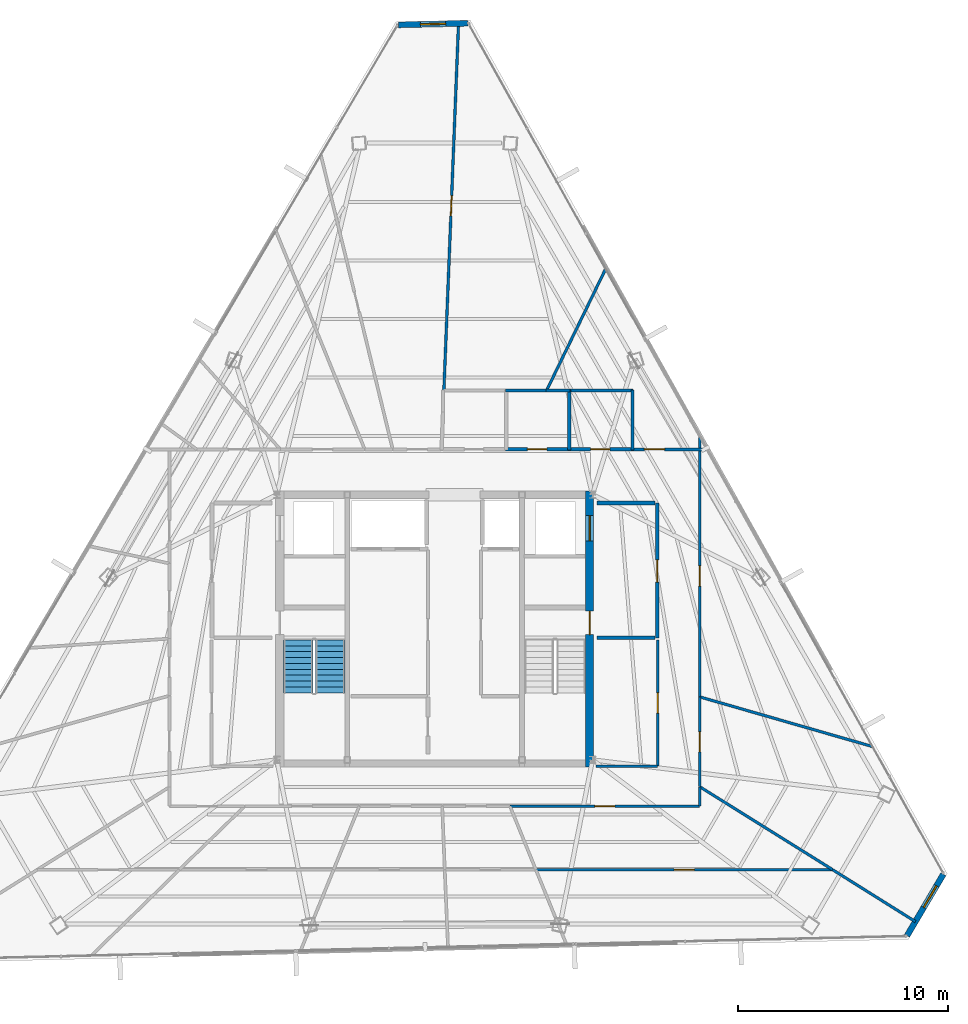
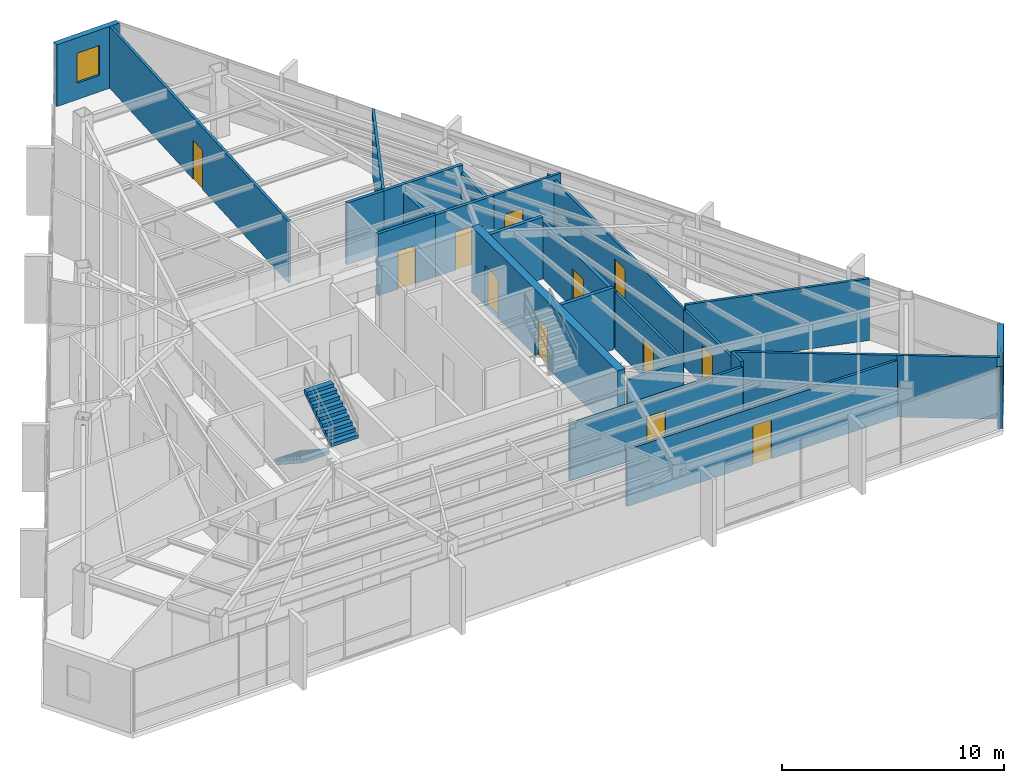
# One storey, part 42 of 45: 26 walls, 12 doors, 2 stair flights, 2 windows, 14 openings, 1 element without a shape of its own.
"""IFC4 building model written with IfcOpenShell, lengths in metres."""

from ifc_helpers import new_model, si_unit, direction, frame, frame_2d, origin, place, context, subcontext, project, spatial, polyline, rectangle, outline, extrude, material, layer, layer_set, type_object, element, fill, aggregate, save


model = new_model("IFC4")

# Units and contexts
model_context = context("Model", 3, precision=1e-05, world=origin(), true_north=direction((0.0, 1.0)))
body_context = subcontext(model_context, "Body", "Model", "MODEL_VIEW")
ifc_project = project(units=[si_unit("LENGTHUNIT", "METRE"), si_unit("AREAUNIT", "SQUARE_METRE"), si_unit("VOLUMEUNIT", "CUBIC_METRE"), si_unit("PLANEANGLEUNIT", "RADIAN"), si_unit("MASSUNIT", "GRAM", prefix="KILO")], contexts=[model_context])

# Site, building, storey
site_placement = place(None, origin())
site = spatial("IfcSite", under=ifc_project, at=site_placement, CompositionType="ELEMENT")
building_placement = place(site_placement, origin())
building = spatial("IfcBuilding", under=site, at=building_placement, Name="Caelisora Broadcast Tower", CompositionType="ELEMENT")
storey_placement = place(building_placement, frame((0.0, 0.0, 266.35009765625)))
storey = spatial("IfcBuildingStorey", under=building, at=storey_placement, Name="L70", CompositionType="ELEMENT", Elevation=266.35009765625)

# Wall, openings, doors
ifc_material_1 = material(Name="Concrete 40 MPa (AS 3600 N40)", Category="concrete")
ifc_layer_1 = layer(ifc_material_1, 0.39990234375, Name="Concrete 40 MPa (AS 3600 N40)")
ifc_layer_set_1 = layer_set([ifc_layer_1], Name="Concrete 40 MPa (AS 3600 N40)")
wall_type_1 = type_object("IfcWallType", Name="CW3", PredefinedType="SHEAR", material=ifc_layer_set_1)
wall_1_placement = place(storey_placement, frame((45.360107421875, 17.050048828125, 0.0), z_axis=(0.0, 0.0, 1.0), x_axis=(0.0, 1.0, 0.0)))
wall_1 = element("IfcWall", 1, at=wall_1_placement, inside=storey, type_object=wall_type_1, Name="L70 core shear wall CW3", PredefinedType="SHEAR", context=body_context, shape_type="SweptSolid", body=[
    extrude(rectangle(XDim=13.125, YDim=0.39990234375, at=frame_2d((6.5625, 0.0))), origin(), (0.0, 0.0, 1.0), 3.64990234375),
])
opening_1_placement = place(wall_1_placement, frame((6.300048828125, 0.0, 0.0)))
opening_1 = element("IfcOpeningElement", 2, at=opening_1_placement, cuts=wall_1, Name="Opening FD04", PredefinedType="OPENING", context=body_context, shape_type="SweptSolid", body=[
    extrude(rectangle(XDim=1.1201171875, YDim=2.14990234375, at=frame_2d((0.56005859375, 1.074951171875))), frame((0.0, 0.2119140625, 0.0), z_axis=(0.0, -1.0, 0.0), x_axis=(1.0, 0.0, 0.0)), (0.0, 0.0, 1.0), 0.423828125),
])
opening_2_placement = place(wall_1_placement, frame((10.75, 0.0, 0.0)))
opening_2 = element("IfcOpeningElement", 3, at=opening_2_placement, cuts=wall_1, Name="Opening LD04", PredefinedType="OPENING", context=body_context, shape_type="SweptSolid", body=[
    extrude(rectangle(XDim=1.199951171875, YDim=2.199951171875, at=frame_2d((0.60009765625, 1.10009765625))), frame((0.0, 0.2119140625, 0.0), z_axis=(0.0, -1.0, 0.0), x_axis=(1.0, 0.0, 0.0)), (0.0, 0.0, 1.0), 0.423828125),
])
ifc_material_2 = material(Name="Pressurised Fire-Isolated Stair Door", Category="steel")
door_type_1 = type_object("IfcDoorType", Name="FD04", OperationType="NOTDEFINED", PredefinedType="DOOR", material=ifc_material_2)
door_1_placement = place(opening_1_placement, origin())
door_1 = element("IfcDoor", 4, at=door_1_placement, inside=storey, type_object=door_type_1, Name="L70 door FD04 (L70-DR-ST2)", OperationType="SINGLE_SWING_RIGHT", OverallHeight=2.14990234375, OverallWidth=1.1201171875, PredefinedType="DOOR", context=body_context, shape_type="SweptSolid", body=[
    extrude(rectangle(XDim=1.1201171875, YDim=2.14990234375, at=frame_2d((0.56005859375, 1.074951171875))), frame((0.0, 0.02490234375, 0.0), z_axis=(0.0, -1.0, 0.0), x_axis=(1.0, 0.0, 0.0)), (0.0, 0.0, 1.0), 0.050048828125),
])
fill(opening_1, door_1)
ifc_material_3 = material(Name="Emergency Firefighting Lift Sliding Landing Door", Category="steel")
door_type_2 = type_object("IfcDoorType", Name="LD04", OperationType="NOTDEFINED", PredefinedType="DOOR", material=ifc_material_3)
door_2_placement = place(opening_2_placement, origin())
door_2 = element("IfcDoor", 5, at=door_2_placement, inside=storey, type_object=door_type_2, Name="L70 door LD04 (L70-LD-FFL2)", OperationType="SLIDING_TO_RIGHT", OverallHeight=2.199951171875, OverallWidth=1.199951171875, PredefinedType="DOOR", context=body_context, shape_type="SweptSolid", body=[
    extrude(rectangle(XDim=1.199951171875, YDim=2.199951171875, at=frame_2d((0.60009765625, 1.10009765625))), frame((0.0, 0.02490234375, 0.0), z_axis=(0.0, -1.0, 0.0), x_axis=(1.0, 0.0, 0.0)), (0.0, 0.0, 1.0), 0.050048828125),
])
fill(opening_2, door_2)

# Wall, opening, window
ifc_material_4 = material(Name="Insulated Terracotta Spandrel Wall System", Category="masonry")
ifc_layer_2 = layer(ifc_material_4, 0.280029296875, Name="Insulated Terracotta Spandrel Wall System")
ifc_layer_set_2 = layer_set([ifc_layer_2], Name="Insulated Terracotta Spandrel Wall System")
wall_type_2 = type_object("IfcWallType", Name="EW1", PredefinedType="STANDARD", material=ifc_layer_set_2)
wall_2_placement = place(storey_placement, frame((62.171630859375, 11.965087890625, 0.0), z_axis=(0.0, 0.0, 1.0), x_axis=(-0.508508441079, -0.861057004705, 0.0)))
wall_2 = element("IfcWall", 6, at=wall_2_placement, inside=storey, type_object=wall_type_2, Name="L70 exterior envelope wall EW1", PredefinedType="STANDARD", context=body_context, shape_type="SweptSolid", body=[
    extrude(rectangle(XDim=3.38916015625, YDim=0.280029296875, at=frame_2d((1.694580078125, 0.0))), origin(), (0.0, 0.0, 1.0), 3.39990234375),
])
opening_3_placement = place(wall_2_placement, frame((0.639892578125, 0.0, 0.89990234375)))
opening_3 = element("IfcOpeningElement", 7, at=opening_3_placement, cuts=wall_2, Name="Opening W03", PredefinedType="OPENING", context=body_context, shape_type="SweptSolid", body=[
    extrude(rectangle(XDim=1.199951171875, YDim=1.64990234375, at=frame_2d((0.60009765625, 0.824951171875))), frame((0.0, 0.152099609375, 0.0), z_axis=(0.0, -1.0, 0.0), x_axis=(1.0, 0.0, 0.0)), (0.0, 0.0, 1.0), 0.303955078125),
])
ifc_material_5 = material(Name="Double Glazed Corner Vision Window", Category="glass")
window_type = type_object("IfcWindowType", Name="W03", PartitioningType="SINGLE_PANEL", PredefinedType="WINDOW", material=ifc_material_5)
window_1_placement = place(opening_3_placement, origin())
window_1 = element("IfcWindow", 8, at=window_1_placement, inside=storey, type_object=window_type, Name="L70 window W03 (L70-WN-CH0)", OverallHeight=1.64990234375, OverallWidth=1.199951171875, PartitioningType="SINGLE_PANEL", PredefinedType="WINDOW", context=body_context, shape_type="SweptSolid", body=[
    extrude(rectangle(XDim=1.199951171875, YDim=1.64990234375, at=frame_2d((0.60009765625, 0.824951171875))), frame((0.0, 0.030029296875, 0.0), z_axis=(0.0, -1.0, 0.0), x_axis=(1.0, 0.0, 0.0)), (0.0, 0.0, 1.0), 0.06005859375),
])
fill(opening_3, window_1)

wall_3_placement = place(storey_placement, frame((36.277099609375, 52.32177734375, 0.0), z_axis=(0.0, 0.0, 1.0), x_axis=(0.999716170491, 0.023823905188, 0.0)))
wall_3 = element("IfcWall", 9, at=wall_3_placement, inside=storey, type_object=wall_type_2, Name="L70 exterior envelope wall EW1", PredefinedType="STANDARD", context=body_context, shape_type="SweptSolid", body=[
    extrude(rectangle(XDim=3.2998046875, YDim=0.280029296875, at=frame_2d((1.64990234375, 0.0))), origin(), (0.0, 0.0, 1.0), 3.39990234375),
])
opening_4_placement = place(wall_3_placement, frame((1.050048828125, 0.0, 0.89990234375)))
opening_4 = element("IfcOpeningElement", 10, at=opening_4_placement, cuts=wall_3, Name="Opening W03", PredefinedType="OPENING", context=body_context, shape_type="SweptSolid", body=[
    extrude(rectangle(XDim=1.199951171875, YDim=1.64990234375, at=frame_2d((0.60009765625, 0.824951171875))), frame((0.0, 0.152099609375, 0.0), z_axis=(0.0, -1.0, 0.0), x_axis=(1.0, 0.0, 0.0)), (0.0, 0.0, 1.0), 0.303955078125),
])
window_2_placement = place(opening_4_placement, origin())
window_2 = element("IfcWindow", 11, at=window_2_placement, inside=storey, type_object=window_type, Name="L70 window W03 (L70-WN-CH8)", OverallHeight=1.64990234375, OverallWidth=1.199951171875, PartitioningType="SINGLE_PANEL", PredefinedType="WINDOW", context=body_context, shape_type="SweptSolid", body=[
    extrude(rectangle(XDim=1.199951171875, YDim=1.64990234375, at=frame_2d((0.60009765625, 0.824951171875))), frame((0.0, 0.030029296875, 0.0), z_axis=(0.0, -1.0, 0.0), x_axis=(1.0, 0.0, 0.0)), (0.0, 0.0, 1.0), 0.06005859375),
])
fill(opening_4, window_2)

# Wall, opening, door
ifc_material_6 = material(Name="Fire-Rated Gypsum Shaft and Compartment Wall", Category="gypsum")
ifc_layer_3 = layer(ifc_material_6, 0.179931640625, Name="Fire-Rated Gypsum Shaft and Compartment Wall")
ifc_layer_set_3 = layer_set([ifc_layer_3], Name="Fire-Rated Gypsum Shaft and Compartment Wall")
wall_type_3 = type_object("IfcWallType", Name="PW2", PredefinedType="PARTITIONING", material=ifc_layer_set_3)
wall_4_placement = place(storey_placement, frame((48.580078125, 23.199951171875, 0.0), z_axis=(0.0, 0.0, 1.0), x_axis=(0.0, 1.0, 0.0)))
wall_4 = element("IfcWall", 12, at=wall_4_placement, inside=storey, type_object=wall_type_3, Name="L70 fire compartment wall PW2", PredefinedType="PARTITIONING", context=body_context, shape_type="SweptSolid", body=[
    extrude(rectangle(XDim=6.400146484375, YDim=0.179931640625, at=frame_2d((3.2001953125, 0.0))), origin(), (0.0, 0.0, 1.0), 3.128662109375),
])
opening_5_placement = place(wall_4_placement, frame((2.64990234375, 0.0, 0.0)))
opening_5 = element("IfcOpeningElement", 13, at=opening_5_placement, cuts=wall_4, Name="Opening FD02", PredefinedType="OPENING", context=body_context, shape_type="SweptSolid", body=[
    extrude(rectangle(XDim=1.050048828125, YDim=2.14990234375, at=frame_2d((0.52490234375, 1.074951171875))), frame((0.0, 0.10205078125, 0.0), z_axis=(0.0, -1.0, 0.0), x_axis=(1.0, 0.0, 0.0)), (0.0, 0.0, 1.0), 0.203857421875),
])
ifc_material_7 = material(Name="Single-Leaf Steel Fire Lobby Door", Category="steel")
door_type_3 = type_object("IfcDoorType", Name="FD02", OperationType="NOTDEFINED", PredefinedType="DOOR", material=ifc_material_7)
door_3_placement = place(opening_5_placement, origin())
door_3 = element("IfcDoor", 14, at=door_3_placement, inside=storey, type_object=door_type_3, Name="L70 door FD02 (L70-DR-P04D1)", OperationType="SINGLE_SWING_RIGHT", OverallHeight=2.14990234375, OverallWidth=1.050048828125, PredefinedType="DOOR", context=body_context, shape_type="SweptSolid", body=[
    extrude(rectangle(XDim=1.050048828125, YDim=2.14990234375, at=frame_2d((0.52490234375, 1.074951171875))), frame((0.0, 0.02490234375, 0.0), z_axis=(0.0, -1.0, 0.0), x_axis=(1.0, 0.0, 0.0)), (0.0, 0.0, 1.0), 0.050048828125),
])
fill(opening_5, door_3)

# Walls
for number, where, z_axis, x_axis, name in (
    (15, (45.719970703125, 23.199951171875, 0.0), (0.0, 0.0, 1.0), (1.0, 0.0, 0.0), "L70 fire compartment wall PW2"),
    (16, (45.719970703125, 29.60009765625, 0.0), (0.0, 0.0, 1.0), (1.0, 0.0, 0.0), "L70 fire compartment wall PW2"),
):
    element("IfcWall", number, at=place(storey_placement, frame(where, z_axis=z_axis, x_axis=x_axis)), inside=storey, type_object=wall_type_3, Name=name, PredefinedType="PARTITIONING", context=body_context, shape_type="SweptSolid", body=[
        extrude(rectangle(XDim=2.760009765625, YDim=0.179931640625, at=frame_2d((1.3798828125, 0.0))), origin(), (0.0, 0.0, 1.0), 3.39990234375),
    ])

# Wall, opening, door
ifc_material_8 = material(Name="Acoustic Steel-Stud Plasterboard Partition", Category="gypsum")
ifc_layer_4 = layer(ifc_material_8, 0.1298828125, Name="Acoustic Steel-Stud Plasterboard Partition")
ifc_layer_set_4 = layer_set([ifc_layer_4], Name="Acoustic Steel-Stud Plasterboard Partition")
wall_type_4 = type_object("IfcWallType", Name="PW3", PredefinedType="PARTITIONING", material=ifc_layer_set_4)
wall_5_placement = place(storey_placement, frame((38.43994140625, 34.955078125, 0.0), z_axis=(0.0, 0.0, 1.0), x_axis=(0.039893741019, 0.999203927848, 0.0)))
wall_5 = element("IfcWall", 17, at=wall_5_placement, inside=storey, type_object=wall_type_4, Name="L70 internal partition PW3", PredefinedType="PARTITIONING", context=body_context, shape_type="SweptSolid", body=[
    extrude(rectangle(XDim=17.45361328125, YDim=0.1298828125, at=frame_2d((8.726806640625, 0.0))), origin(), (0.0, 0.0, 1.0), 3.39990234375),
])
opening_6_placement = place(wall_5_placement, frame((8.2939453125, 0.0, 0.0)))
opening_6 = element("IfcOpeningElement", 18, at=opening_6_placement, cuts=wall_5, Name="Opening D01", PredefinedType="OPENING", context=body_context, shape_type="SweptSolid", body=[
    extrude(rectangle(XDim=0.9599609375, YDim=2.14990234375, at=frame_2d((0.47998046875, 1.074951171875))), frame((0.0, 0.076904296875, 0.0), z_axis=(0.0, -1.0, 0.0), x_axis=(1.0, 0.0, 0.0)), (0.0, 0.0, 1.0), 0.15380859375),
])
ifc_material_9 = material(Name="Solid-Core Timber Acoustic Office Door", Category="wood")
door_type_4 = type_object("IfcDoorType", Name="D01", OperationType="NOTDEFINED", PredefinedType="DOOR", material=ifc_material_9)
door_4_placement = place(opening_6_placement, origin())
door_4 = element("IfcDoor", 19, at=door_4_placement, inside=storey, type_object=door_type_4, Name="L70 door D01 (L70-DR-P26D1)", OperationType="SINGLE_SWING_LEFT", OverallHeight=2.14990234375, OverallWidth=0.9599609375, PredefinedType="DOOR", context=body_context, shape_type="SweptSolid", body=[
    extrude(rectangle(XDim=0.9599609375, YDim=2.14990234375, at=frame_2d((0.47998046875, 1.074951171875))), frame((0.0, 0.02490234375, 0.0), z_axis=(0.0, -1.0, 0.0), x_axis=(1.0, 0.0, 0.0)), (0.0, 0.0, 1.0), 0.050048828125),
])
fill(opening_6, door_4)

wall_6_placement = place(storey_placement, frame((42.81494140625, 12.179931640625, 0.0), z_axis=(0.0, 0.0, 1.0), x_axis=(1.0, 0.0, 0.0)))
wall_6 = element("IfcWall", 20, at=wall_6_placement, inside=storey, type_object=wall_type_4, Name="L70 internal partition PW3", PredefinedType="PARTITIONING", context=body_context, shape_type="SweptSolid", body=[
    extrude(rectangle(XDim=14.090087890625, YDim=0.1298828125, at=frame_2d((7.044921875, 0.0))), origin(), (0.0, 0.0, 1.0), 3.128662109375),
])
opening_7_placement = place(wall_6_placement, frame((6.56494140625, 0.0, 0.0)))
opening_7 = element("IfcOpeningElement", 21, at=opening_7_placement, cuts=wall_6, Name="Opening D01", PredefinedType="OPENING", context=body_context, shape_type="SweptSolid", body=[
    extrude(rectangle(XDim=0.9599609375, YDim=2.14990234375, at=frame_2d((0.47998046875, 1.074951171875))), frame((0.0, 0.076904296875, 0.0), z_axis=(0.0, -1.0, 0.0), x_axis=(1.0, 0.0, 0.0)), (0.0, 0.0, 1.0), 0.15380859375),
])
door_5_placement = place(opening_7_placement, origin())
door_5 = element("IfcDoor", 22, at=door_5_placement, inside=storey, type_object=door_type_4, Name="L70 door D01 (L70-DR-P28D1)", OperationType="SINGLE_SWING_RIGHT", OverallHeight=2.14990234375, OverallWidth=0.9599609375, PredefinedType="DOOR", context=body_context, shape_type="SweptSolid", body=[
    extrude(rectangle(XDim=0.9599609375, YDim=2.14990234375, at=frame_2d((0.47998046875, 1.074951171875))), frame((0.0, 0.02490234375, 0.0), z_axis=(0.0, -1.0, 0.0), x_axis=(1.0, 0.0, 0.0)), (0.0, 0.0, 1.0), 0.050048828125),
])
fill(opening_7, door_5)

wall_7_placement = place(storey_placement, frame((50.60009765625, 20.39501953125, 0.0), z_axis=(0.0, 0.0, 1.0), x_axis=(0.0, 1.0, 0.0)))
wall_7 = element("IfcWall", 23, at=wall_7_placement, inside=storey, type_object=wall_type_4, Name="L70 internal partition PW3", PredefinedType="PARTITIONING", context=body_context, shape_type="SweptSolid", body=[
    extrude(rectangle(XDim=12.311767578125, YDim=0.1298828125, at=frame_2d((6.15576171875, 0.0))), origin(), (0.0, 0.0, 1.0), 3.128662109375),
])
opening_8_placement = place(wall_7_placement, frame((5.258056640625, 0.0, 0.0)))
opening_8 = element("IfcOpeningElement", 24, at=opening_8_placement, cuts=wall_7, Name="Opening D01", PredefinedType="OPENING", context=body_context, shape_type="SweptSolid", body=[
    extrude(rectangle(XDim=0.9599609375, YDim=2.14990234375, at=frame_2d((0.47998046875, 1.074951171875))), frame((0.0, 0.076904296875, 0.0), z_axis=(0.0, -1.0, 0.0), x_axis=(1.0, 0.0, 0.0)), (0.0, 0.0, 1.0), 0.15380859375),
])
door_6_placement = place(opening_8_placement, origin())
door_6 = element("IfcDoor", 25, at=door_6_placement, inside=storey, type_object=door_type_4, Name="L70 door D01 (L70-DR-P29D1)", OperationType="SINGLE_SWING_LEFT", OverallHeight=2.14990234375, OverallWidth=0.9599609375, PredefinedType="DOOR", context=body_context, shape_type="SweptSolid", body=[
    extrude(rectangle(XDim=0.9599609375, YDim=2.14990234375, at=frame_2d((0.47998046875, 1.074951171875))), frame((0.0, 0.02490234375, 0.0), z_axis=(0.0, -1.0, 0.0), x_axis=(1.0, 0.0, 0.0)), (0.0, 0.0, 1.0), 0.050048828125),
])
fill(opening_8, door_6)

wall_8_placement = place(storey_placement, frame((41.5849609375, 15.199951171875, 0.0), z_axis=(0.0, 0.0, 1.0), x_axis=(1.0, 0.0, 0.0)))
wall_8 = element("IfcWall", 26, at=wall_8_placement, inside=storey, type_object=wall_type_4, Name="L70 internal partition PW3", PredefinedType="PARTITIONING", context=body_context, shape_type="SweptSolid", body=[
    extrude(rectangle(XDim=9.010009765625, YDim=0.1298828125, at=frame_2d((4.5048828125, 0.0))), origin(), (0.0, 0.0, 1.0), 3.128662109375),
])
opening_9_placement = place(wall_8_placement, frame((4.02490234375, 0.0, 0.0)))
opening_9 = element("IfcOpeningElement", 27, at=opening_9_placement, cuts=wall_8, Name="Opening D01", PredefinedType="OPENING", context=body_context, shape_type="SweptSolid", body=[
    extrude(rectangle(XDim=0.9599609375, YDim=2.14990234375, at=frame_2d((0.47998046875, 1.074951171875))), frame((0.0, 0.076904296875, 0.0), z_axis=(0.0, -1.0, 0.0), x_axis=(1.0, 0.0, 0.0)), (0.0, 0.0, 1.0), 0.15380859375),
])
door_7_placement = place(opening_9_placement, origin())
door_7 = element("IfcDoor", 28, at=door_7_placement, inside=storey, type_object=door_type_4, Name="L70 door D01 (L70-DR-P33D1)", OperationType="SINGLE_SWING_RIGHT", OverallHeight=2.14990234375, OverallWidth=0.9599609375, PredefinedType="DOOR", context=body_context, shape_type="SweptSolid", body=[
    extrude(rectangle(XDim=0.9599609375, YDim=2.14990234375, at=frame_2d((0.47998046875, 1.074951171875))), frame((0.0, 0.02490234375, 0.0), z_axis=(0.0, -1.0, 0.0), x_axis=(1.0, 0.0, 0.0)), (0.0, 0.0, 1.0), 0.050048828125),
])
fill(opening_9, door_7)

# Walls
wall_9_placement = place(storey_placement, frame((50.60498046875, 20.388916015625, 0.0), z_axis=(0.0, 0.0, 1.0), x_axis=(0.961080775552, -0.276267520467, 0.0)))
element("IfcWall", 29, at=wall_9_placement, inside=storey, type_object=wall_type_4, Name="L70 internal partition PW3", PredefinedType="PARTITIONING", context=body_context, shape_type="SweptSolid", body=[
    extrude(rectangle(XDim=8.54736328125, YDim=0.1298828125, at=frame_2d((4.273681640625, 0.0))), origin(), (0.0, 0.0, 1.0), 3.39990234375),
])
wall_10_placement = place(storey_placement, frame((50.60400390625, 16.116943359375, 0.0), z_axis=(0.0, 0.0, 1.0), x_axis=(0.848295415608, -0.5295232647, 0.0)))
element("IfcWall", 30, at=wall_10_placement, inside=storey, type_object=wall_type_4, Name="L70 internal partition PW3", PredefinedType="PARTITIONING", context=body_context, shape_type="SweptSolid", body=[
    extrude(rectangle(XDim=7.428955078125, YDim=0.1298828125, at=frame_2d((3.71435546875, 0.0))), origin(), (0.0, 0.0, 1.0), 3.39990234375),
])
wall_11_placement = place(storey_placement, frame((43.322021484375, 34.9541015625, 0.0), z_axis=(0.0, 0.0, 1.0), x_axis=(0.436792456672, 0.899562310123, 0.0)))
element("IfcWall", 31, at=wall_11_placement, inside=storey, type_object=wall_type_4, Name="L70 internal partition PW3", PredefinedType="PARTITIONING", context=body_context, shape_type="SweptSolid", body=[
    extrude(rectangle(XDim=6.428466796875, YDim=0.1298828125, at=frame_2d((3.21435546875, 0.0))), origin(), (0.0, 0.0, 1.0), 3.39990234375),
])

# Wall, opening, door
wall_12_placement = place(storey_placement, frame((48.60009765625, 17.10498046875, 0.0), z_axis=(0.0, 0.0, 1.0), x_axis=(0.0, 1.0, 0.0)))
wall_12 = element("IfcWall", 32, at=wall_12_placement, inside=storey, type_object=wall_type_4, Name="L70 internal partition PW3", PredefinedType="PARTITIONING", context=body_context, shape_type="SweptSolid", body=[
    extrude(rectangle(XDim=6.0, YDim=0.1298828125, at=frame_2d((3.0, 0.0))), origin(), (0.0, 0.0, 1.0), 3.128662109375),
])
opening_10_placement = place(wall_12_placement, frame((2.52001953125, 0.0, 0.0)))
opening_10 = element("IfcOpeningElement", 33, at=opening_10_placement, cuts=wall_12, Name="Opening D01", PredefinedType="OPENING", context=body_context, shape_type="SweptSolid", body=[
    extrude(rectangle(XDim=0.9599609375, YDim=2.14990234375, at=frame_2d((0.47998046875, 1.074951171875))), frame((0.0, 0.076904296875, 0.0), z_axis=(0.0, -1.0, 0.0), x_axis=(1.0, 0.0, 0.0)), (0.0, 0.0, 1.0), 0.15380859375),
])
door_8_placement = place(opening_10_placement, origin())
door_8 = element("IfcDoor", 34, at=door_8_placement, inside=storey, type_object=door_type_4, Name="L70 door D01 (L70-DR-P43D1)", OperationType="SINGLE_SWING_RIGHT", OverallHeight=2.14990234375, OverallWidth=0.9599609375, PredefinedType="DOOR", context=body_context, shape_type="SweptSolid", body=[
    extrude(rectangle(XDim=0.9599609375, YDim=2.14990234375, at=frame_2d((0.47998046875, 1.074951171875))), frame((0.0, 0.02490234375, 0.0), z_axis=(0.0, -1.0, 0.0), x_axis=(1.0, 0.0, 0.0)), (0.0, 0.0, 1.0), 0.050048828125),
])
fill(opening_10, door_8)

# Wall
wall_13_placement = place(storey_placement, frame((56.9140625, 12.177001953125, 0.0), z_axis=(0.0, 0.0, 1.0), x_axis=(0.847314997535, -0.531090665473, 0.0)))
element("IfcWall", 35, at=wall_13_placement, inside=storey, type_object=wall_type_4, Name="L70 internal partition PW3", PredefinedType="PARTITIONING", context=body_context, shape_type="SweptSolid", body=[
    extrude(rectangle(XDim=4.6416015625, YDim=0.1298828125, at=frame_2d((2.32080078125, 0.0))), origin(), (0.0, 0.0, 1.0), 3.39990234375),
])

# Wall, opening, door
wall_14_placement = place(storey_placement, frame((50.60009765625, 16.125, 0.0), z_axis=(0.0, 0.0, 1.0), x_axis=(0.0, 1.0, 0.0)))
wall_14 = element("IfcWall", 36, at=wall_14_placement, inside=storey, type_object=wall_type_4, Name="L70 internal partition PW3", PredefinedType="PARTITIONING", context=body_context, shape_type="SweptSolid", body=[
    extrude(rectangle(XDim=4.260009765625, YDim=0.1298828125, at=frame_2d((2.1298828125, 0.0))), origin(), (0.0, 0.0, 1.0), 3.128662109375),
])
opening_11_placement = place(wall_14_placement, frame((1.64990234375, 0.0, 0.0)))
opening_11 = element("IfcOpeningElement", 37, at=opening_11_placement, cuts=wall_14, Name="Opening D01", PredefinedType="OPENING", context=body_context, shape_type="SweptSolid", body=[
    extrude(rectangle(XDim=0.9599609375, YDim=2.14990234375, at=frame_2d((0.47998046875, 1.074951171875))), frame((0.0, 0.076904296875, 0.0), z_axis=(0.0, -1.0, 0.0), x_axis=(1.0, 0.0, 0.0)), (0.0, 0.0, 1.0), 0.15380859375),
])
door_9_placement = place(opening_11_placement, origin())
door_9 = element("IfcDoor", 38, at=door_9_placement, inside=storey, type_object=door_type_4, Name="L70 door D01 (L70-DR-P54D1)", OperationType="SINGLE_SWING_RIGHT", OverallHeight=2.14990234375, OverallWidth=0.9599609375, PredefinedType="DOOR", context=body_context, shape_type="SweptSolid", body=[
    extrude(rectangle(XDim=0.9599609375, YDim=2.14990234375, at=frame_2d((0.47998046875, 1.074951171875))), frame((0.0, 0.02490234375, 0.0), z_axis=(0.0, -1.0, 0.0), x_axis=(1.0, 0.0, 0.0)), (0.0, 0.0, 1.0), 0.050048828125),
])
fill(opening_11, door_9)

wall_15_placement = place(storey_placement, frame((50.90234375, 32.14990234375, 0.0), z_axis=(0.0, 0.0, 1.0), x_axis=(-1.0, 0.0, 0.0)))
wall_15 = element("IfcWall", 39, at=wall_15_placement, inside=storey, type_object=wall_type_4, Name="L70 internal partition PW3", PredefinedType="PARTITIONING", context=body_context, shape_type="SweptSolid", body=[
    extrude(rectangle(XDim=3.497314453125, YDim=0.1298828125, at=frame_2d((1.74853515625, 0.0))), origin(), (0.0, 0.0, 1.0), 3.39990234375),
])
opening_12_placement = place(wall_15_placement, frame((1.97998046875, 0.0, 0.0)))
opening_12 = element("IfcOpeningElement", 40, at=opening_12_placement, cuts=wall_15, Name="Opening D01", PredefinedType="OPENING", context=body_context, shape_type="SweptSolid", body=[
    extrude(rectangle(XDim=0.9599609375, YDim=2.14990234375, at=frame_2d((0.47998046875, 1.074951171875))), frame((0.0, 0.076904296875, 0.0), z_axis=(0.0, -1.0, 0.0), x_axis=(1.0, 0.0, 0.0)), (0.0, 0.0, 1.0), 0.15380859375),
])
door_10_placement = place(opening_12_placement, origin())
door_10 = element("IfcDoor", 41, at=door_10_placement, inside=storey, type_object=door_type_4, Name="L70 door D01 (L70-DR-P67D1)", OperationType="SINGLE_SWING_LEFT", OverallHeight=2.14990234375, OverallWidth=0.9599609375, PredefinedType="DOOR", context=body_context, shape_type="SweptSolid", body=[
    extrude(rectangle(XDim=0.9599609375, YDim=2.14990234375, at=frame_2d((0.47998046875, 1.074951171875))), frame((0.0, 0.02490234375, 0.0), z_axis=(0.0, -1.0, 0.0), x_axis=(1.0, 0.0, 0.0)), (0.0, 0.0, 1.0), 0.050048828125),
])
fill(opening_12, door_10)

# Walls
wall_16_placement = place(storey_placement, frame((45.675048828125, 17.10009765625, 0.0), z_axis=(0.0, 0.0, 1.0), x_axis=(1.0, 0.0, 0.0)))
element("IfcWall", 42, at=wall_16_placement, inside=storey, type_object=wall_type_4, Name="L70 internal partition PW3", PredefinedType="PARTITIONING", context=body_context, shape_type="SweptSolid", body=[
    extrude(rectangle(XDim=2.919921875, YDim=0.1298828125, at=frame_2d((1.4599609375, 0.0))), origin(), (0.0, 0.0, 1.0), 2.98486328125),
])
wall_17_placement = place(storey_placement, frame((50.60009765625, 15.205078125, 0.0), z_axis=(0.0, 0.0, 1.0), x_axis=(0.0, 1.0, 0.0)))
element("IfcWall", 43, at=wall_17_placement, inside=storey, type_object=wall_type_4, Name="L70 internal partition PW3", PredefinedType="PARTITIONING", context=body_context, shape_type="SweptSolid", body=[
    extrude(rectangle(XDim=0.909912109375, YDim=0.1298828125, at=frame_2d((0.455078125, 0.0))), origin(), (0.0, 0.0, 1.0), 3.39990234375),
])

# Wall, opening, door
ifc_material_10 = material(Name="Moisture-Resistant Wet Plumbing Service Wall", Category="gypsum")
ifc_layer_5 = layer(ifc_material_10, 0.159912109375, Name="Moisture-Resistant Wet Plumbing Service Wall")
ifc_layer_set_5 = layer_set([ifc_layer_5], Name="Moisture-Resistant Wet Plumbing Service Wall")
wall_type_5 = type_object("IfcWallType", Name="PW4", PredefinedType="PLUMBINGWALL", material=ifc_layer_set_5)
wall_18_placement = place(storey_placement, frame((41.375, 32.14990234375, 0.0), z_axis=(0.0, 0.0, 1.0), x_axis=(1.0, 0.0, 0.0)))
wall_18 = element("IfcWall", 44, at=wall_18_placement, inside=storey, type_object=wall_type_5, Name="L70 wet plumbing wall PW4", PredefinedType="PLUMBINGWALL", context=body_context, shape_type="SweptSolid", body=[
    extrude(rectangle(XDim=3.050048828125, YDim=0.159912109375, at=frame_2d((1.52490234375, 0.0))), origin(), (0.0, 0.0, 1.0), 3.39990234375),
])
opening_13_placement = place(wall_18_placement, frame((1.034912109375, 0.0, 0.0)))
opening_13 = element("IfcOpeningElement", 45, at=opening_13_placement, cuts=wall_18, Name="Opening D03", PredefinedType="OPENING", context=body_context, shape_type="SweptSolid", body=[
    extrude(rectangle(XDim=0.919921875, YDim=2.10009765625, at=frame_2d((0.4599609375, 1.050048828125))), frame((0.0, 0.092041015625, 0.0), z_axis=(0.0, -1.0, 0.0), x_axis=(1.0, 0.0, 0.0)), (0.0, 0.0, 1.0), 0.183837890625),
])
ifc_material_11 = material(Name="Laminate Moisture-Resistant Amenity WC Door", Category="wood")
door_type_5 = type_object("IfcDoorType", Name="D03", OperationType="NOTDEFINED", PredefinedType="DOOR", material=ifc_material_11)
door_11_placement = place(opening_13_placement, origin())
door_11 = element("IfcDoor", 46, at=door_11_placement, inside=storey, type_object=door_type_5, Name="L70 door D03 (L70-DR-P15D1)", OperationType="SINGLE_SWING_LEFT", OverallHeight=2.10009765625, OverallWidth=0.919921875, PredefinedType="DOOR", context=body_context, shape_type="SweptSolid", body=[
    extrude(rectangle(XDim=0.919921875, YDim=2.10009765625, at=frame_2d((0.4599609375, 1.050048828125))), frame((0.0, 0.02490234375, 0.0), z_axis=(0.0, -1.0, 0.0), x_axis=(1.0, 0.0, 0.0)), (0.0, 0.0, 1.0), 0.050048828125),
])
fill(opening_13, door_11)

wall_19_placement = place(storey_placement, frame((44.375, 32.14990234375, 0.0), z_axis=(0.0, 0.0, 1.0), x_axis=(1.0, 0.0, 0.0)))
wall_19 = element("IfcWall", 47, at=wall_19_placement, inside=storey, type_object=wall_type_5, Name="L70 wet plumbing wall PW4", PredefinedType="PLUMBINGWALL", context=body_context, shape_type="SweptSolid", body=[
    extrude(rectangle(XDim=3.050048828125, YDim=0.159912109375, at=frame_2d((1.52490234375, 0.0))), origin(), (0.0, 0.0, 1.0), 3.39990234375),
])
opening_14_placement = place(wall_19_placement, frame((1.034912109375, 0.0, 0.0)))
opening_14 = element("IfcOpeningElement", 48, at=opening_14_placement, cuts=wall_19, Name="Opening D03", PredefinedType="OPENING", context=body_context, shape_type="SweptSolid", body=[
    extrude(rectangle(XDim=0.919921875, YDim=2.10009765625, at=frame_2d((0.4599609375, 1.050048828125))), frame((0.0, 0.092041015625, 0.0), z_axis=(0.0, -1.0, 0.0), x_axis=(1.0, 0.0, 0.0)), (0.0, 0.0, 1.0), 0.183837890625),
])
door_12_placement = place(opening_14_placement, origin())
door_12 = element("IfcDoor", 49, at=door_12_placement, inside=storey, type_object=door_type_5, Name="L70 door D03 (L70-DR-P16D1)", OperationType="SINGLE_SWING_RIGHT", OverallHeight=2.10009765625, OverallWidth=0.919921875, PredefinedType="DOOR", context=body_context, shape_type="SweptSolid", body=[
    extrude(rectangle(XDim=0.919921875, YDim=2.10009765625, at=frame_2d((0.4599609375, 1.050048828125))), frame((0.0, 0.02490234375, 0.0), z_axis=(0.0, -1.0, 0.0), x_axis=(1.0, 0.0, 0.0)), (0.0, 0.0, 1.0), 0.050048828125),
])
fill(opening_14, door_12)

# Walls
wall_20_placement = place(storey_placement, frame((47.425048828125, 34.949951171875, 0.0), z_axis=(0.0, 0.0, 1.0), x_axis=(-1.0, 0.0, 0.0)))
element("IfcWall", 50, at=wall_20_placement, inside=storey, type_object=wall_type_5, Name="L70 wet plumbing wall PW4", PredefinedType="PLUMBINGWALL", context=body_context, shape_type="SweptSolid", body=[
    extrude(rectangle(XDim=3.050048828125, YDim=0.159912109375, at=frame_2d((1.52490234375, 0.0))), origin(), (0.0, 0.0, 1.0), 3.39990234375),
])
for number, where, z_axis, x_axis, name in (
    (51, (44.39990234375, 32.125, 0.0), (0.0, 0.0, 1.0), (0.0, 1.0, 0.0), "L70 wet plumbing wall PW4"),
    (52, (47.39990234375, 32.125, 0.0), (0.0, 0.0, 1.0), (0.0, 1.0, 0.0), "L70 wet plumbing wall PW4"),
):
    element("IfcWall", number, at=place(storey_placement, frame(where, z_axis=z_axis, x_axis=x_axis)), inside=storey, type_object=wall_type_5, Name=name, PredefinedType="PLUMBINGWALL", context=body_context, shape_type="SweptSolid", body=[
        extrude(rectangle(XDim=2.85009765625, YDim=0.159912109375, at=frame_2d((1.425048828125, 0.0))), origin(), (0.0, 0.0, 1.0), 2.98486328125),
    ])
wall_21_placement = place(storey_placement, frame((41.375, 34.949951171875, 0.0), z_axis=(0.0, 0.0, 1.0), x_axis=(1.0, 0.0, 0.0)))
element("IfcWall", 53, at=wall_21_placement, inside=storey, type_object=wall_type_5, Name="L70 wet plumbing wall PW4", PredefinedType="PLUMBINGWALL", context=body_context, shape_type="SweptSolid", body=[
    extrude(rectangle(XDim=1.969970703125, YDim=0.159912109375, at=frame_2d((0.98486328125, 0.0))), origin(), (0.0, 0.0, 1.0), 3.39990234375),
])
wall_22_placement = place(storey_placement, frame((43.294921875, 34.949951171875, 0.0), z_axis=(0.0, 0.0, 1.0), x_axis=(1.0, 0.0, 0.0)))
element("IfcWall", 54, at=wall_22_placement, inside=storey, type_object=wall_type_5, Name="L70 wet plumbing wall PW4", PredefinedType="PLUMBINGWALL", context=body_context, shape_type="SweptSolid", body=[
    extrude(rectangle(XDim=1.130126953125, YDim=0.159912109375, at=frame_2d((0.56494140625, 0.0))), origin(), (0.0, 0.0, 1.0), 3.39990234375),
])

# Stair, stair flights
stair_type = type_object("IfcStairType", Name="ST-1", PredefinedType="HALF_TURN_STAIR", material=ifc_material_1)
stair_placement = place(storey_placement, origin())
stair = element("IfcStair", 55, at=stair_placement, inside=storey, type_object=stair_type, Name="L70 West Fire-Isolated Tower Stair", PredefinedType="HALF_TURN_STAIR")
stair_flight_type = type_object("IfcStairFlightType", Name="STF-4", PredefinedType="STRAIGHT", material=ifc_material_1)
stair_flight_1_placement = place(storey_placement, frame((31.52001953125, 23.10009765625, 0.0), z_axis=(0.0, 0.0, 1.0), x_axis=(0.0, -1.0, 0.0)))
stair_flight_1 = element("IfcStairFlight", 56, at=stair_flight_1_placement, type_object=stair_flight_type, Name="ST-1 flight 1", NumberOfRisers=10, NumberOfTreads=9, PredefinedType="STRAIGHT", RiserHeight=0.1825, TreadLength=0.28, context=body_context, shape_type="SweptSolid", body=[
    extrude(outline(polyline([(0.0, 0.0), (0.0, 0.1826171875), (0.280029296875, 0.1826171875), (0.280029296875, 0.364990234375), (0.56005859375, 0.364990234375), (0.56005859375, 0.547607421875), (0.840087890625, 0.547607421875), (0.840087890625, 0.72998046875), (1.1201171875, 0.72998046875), (1.1201171875, 0.91259765625), (1.39990234375, 0.91259765625), (1.39990234375, 1.094970703125), (1.679931640625, 1.094970703125), (1.679931640625, 1.277587890625), (1.9599609375, 1.277587890625), (1.9599609375, 1.4599609375), (2.239990234375, 1.4599609375), (2.239990234375, 1.642578125), (2.52001953125, 1.642578125), (2.52001953125, 1.824951171875), (2.52001953125, 1.463623046875), (0.2744140625, 0.0), (0.0, 0.0)])), frame((0.0, 0.699951171875, 0.0), z_axis=(0.0, -1.0, 0.0), x_axis=(1.0, 0.0, 0.0)), (0.0, 0.0, 1.0), 1.39990234375),
])
stair_flight_2_placement = place(storey_placement, frame((33.0400390625, 20.580078125, 1.824951171875), z_axis=(0.0, 0.0, 1.0), x_axis=(0.0, 1.0, 0.0)))
stair_flight_2 = element("IfcStairFlight", 57, at=stair_flight_2_placement, type_object=stair_flight_type, Name="ST-1 flight 2", NumberOfRisers=10, NumberOfTreads=9, PredefinedType="STRAIGHT", RiserHeight=0.1825, TreadLength=0.28, context=body_context, shape_type="SweptSolid", body=[
    extrude(outline(polyline([(0.0, 0.0), (0.0, 0.1826171875), (0.280029296875, 0.1826171875), (0.280029296875, 0.364990234375), (0.56005859375, 0.364990234375), (0.56005859375, 0.547607421875), (0.840087890625, 0.547607421875), (0.840087890625, 0.72998046875), (1.1201171875, 0.72998046875), (1.1201171875, 0.91259765625), (1.39990234375, 0.91259765625), (1.39990234375, 1.094970703125), (1.679931640625, 1.094970703125), (1.679931640625, 1.277587890625), (1.9599609375, 1.277587890625), (1.9599609375, 1.4599609375), (2.239990234375, 1.4599609375), (2.239990234375, 1.642578125), (2.52001953125, 1.642578125), (2.52001953125, 1.824951171875), (2.52001953125, 1.463623046875), (0.2744140625, 0.0), (0.0, 0.0)])), frame((0.0, 0.699951171875, 0.0), z_axis=(0.0, -1.0, 0.0), x_axis=(1.0, 0.0, 0.0)), (0.0, 0.0, 1.0), 1.39990234375),
])
aggregate(stair, [stair_flight_1, stair_flight_2])

save(model, "model.ifc")
